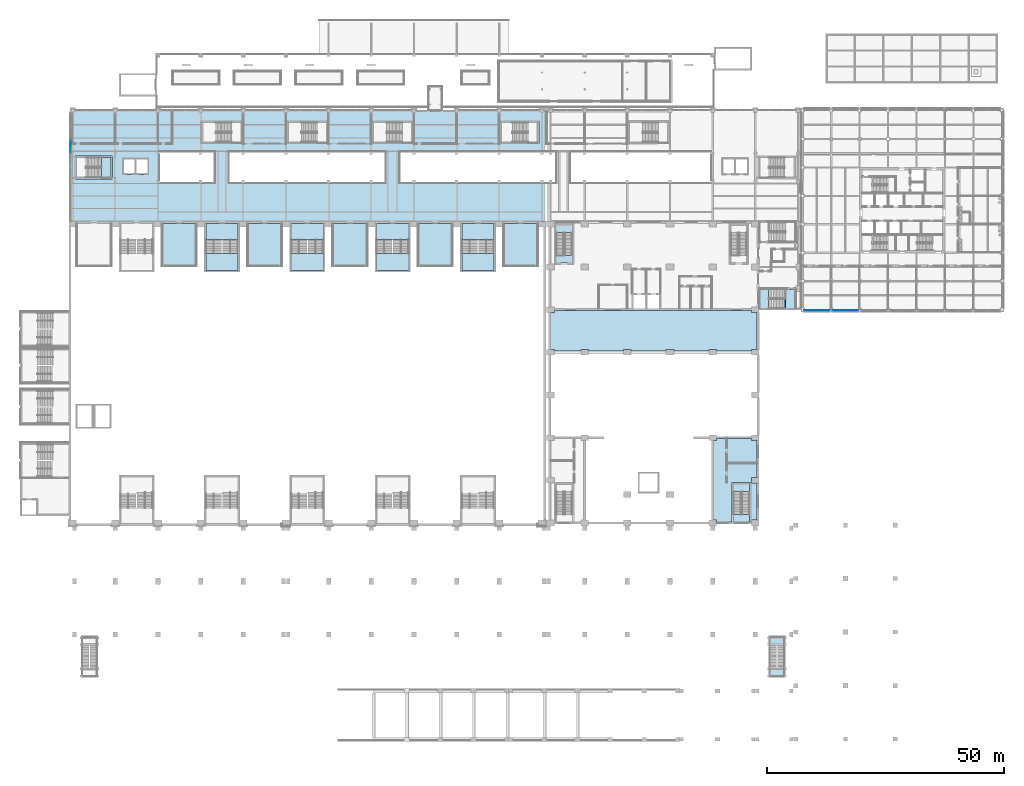
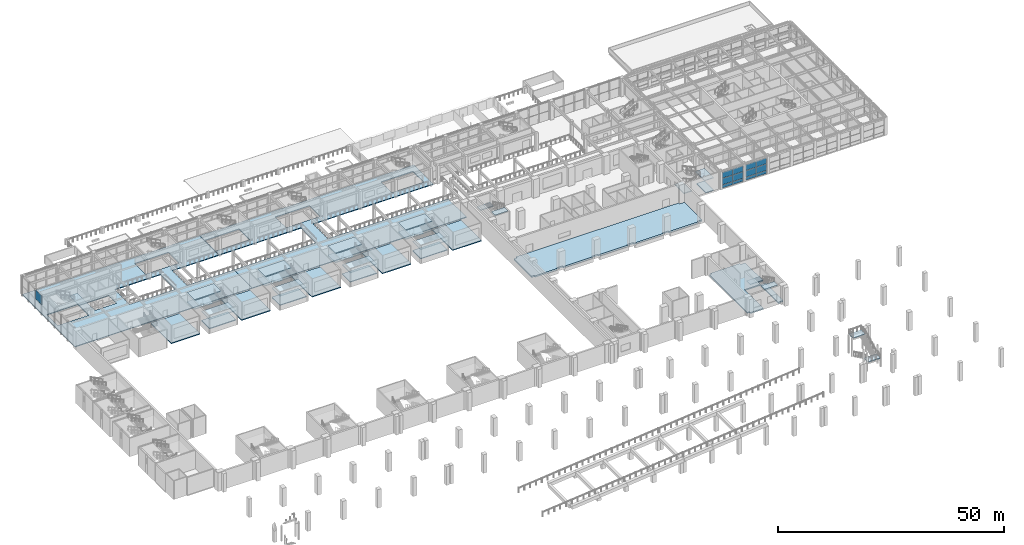
# One storey, part 28 of 67: 35 slabs, 13 plates, 16 elements without a shape of their own.
"""IFC4 building model written with IfcOpenShell, lengths in metres."""

from ifc_helpers import new_model, si_unit, direction, frame, origin, origin_2d, place, context, subcontext, project, spatial, polyline, rectangle, outline, extrude, material, layer, layer_set, type_object, element, aggregate, save


model = new_model("IFC4")

# Units and contexts
model_context = context("Model", 3, precision=1e-05, world=origin(), true_north=direction((0.0, 1.0)))
body_context = subcontext(model_context, "Body", "Model", "MODEL_VIEW")
ifc_project = project(units=[si_unit("LENGTHUNIT", "METRE"), si_unit("AREAUNIT", "SQUARE_METRE"), si_unit("VOLUMEUNIT", "CUBIC_METRE"), si_unit("PLANEANGLEUNIT", "RADIAN"), si_unit("MASSUNIT", "GRAM", prefix="KILO")], contexts=[model_context])

# Site, building, storey
site_placement = place(None, origin())
site = spatial("IfcSite", under=ifc_project, at=site_placement, CompositionType="ELEMENT")
building_placement = place(site_placement, origin())
building = spatial("IfcBuilding", under=site, at=building_placement, Name="Aravalli Gate Trade Fair Centre", CompositionType="ELEMENT")
storey_placement = place(building_placement, frame((0.0, 0.0, 5.0)))
storey = spatial("IfcBuildingStorey", under=building, at=storey_placement, Name="L01", CompositionType="ELEMENT", Elevation=5.0)

# Slabs
ifc_material_1 = material(Name="Concrete M40", Category="concrete")
ifc_layer_1 = layer(ifc_material_1, 0.199951171875)
ifc_layer_set_1 = layer_set([ifc_layer_1], Name="Concrete M40")
slab_type_1 = type_object("IfcSlabType", Name="Concourse gallery slab 200", PredefinedType="FLOOR", material=ifc_layer_set_1)
slab_1_placement = place(storey_placement, frame((0.0, 0.0, -0.199951171875)))
element("IfcSlab", 1, at=slab_1_placement, inside=storey, type_object=slab_type_1, Name="Concourse gallery slab L01 1", PredefinedType="FLOOR", context=body_context, shape_type="SweptSolid", body=[
    extrude(outline(polyline([(50.97998046875, 132.919921875), (5.699951171875, 132.919921875), (5.699951171875, 109.60009765625), (50.97998046875, 109.60009765625), (50.97998046875, 117.699951171875), (39.0, 117.699951171875), (39.0, 124.300048828125), (50.97998046875, 124.300048828125), (50.97998046875, 132.919921875)]), holes=[polyline([(24.300048828125, 124.300048828125), (36.0, 124.300048828125), (36.0, 117.699951171875), (24.300048828125, 117.699951171875), (24.300048828125, 124.300048828125)]), polyline([(6.5, 118.60009765625), (6.5, 123.39990234375), (14.39990234375, 123.39990234375), (14.39990234375, 118.60009765625), (6.5, 118.60009765625)]), polyline([(16.5, 119.5), (16.5, 123.0), (22.050048828125, 123.0), (22.050048828125, 119.5), (16.5, 119.5)]), polyline([(33.14990234375, 126.0), (33.14990234375, 130.800048828125), (41.85009765625, 130.800048828125), (41.85009765625, 126.0), (33.14990234375, 126.0)])]), origin(), (0.0, 0.0, 1.0), 0.199951171875),
])
slab_2_placement = place(storey_placement, frame((0.0, 0.0, -0.199951171875)))
element("IfcSlab", 2, at=slab_2_placement, inside=storey, type_object=slab_type_1, Name="Concourse gallery slab L01 2", PredefinedType="FLOOR", context=body_context, shape_type="SweptSolid", body=[
    extrude(outline(polyline([(105.800048828125, 132.919921875), (51.02001953125, 132.919921875), (51.02001953125, 124.300048828125), (72.0, 124.300048828125), (72.0, 117.699951171875), (51.02001953125, 117.699951171875), (51.02001953125, 109.60009765625), (105.800048828125, 109.60009765625), (105.800048828125, 117.699951171875), (75.0, 117.699951171875), (75.0, 124.300048828125), (105.800048828125, 124.300048828125), (105.800048828125, 132.919921875)]), holes=[polyline([(51.14990234375, 126.0), (51.14990234375, 130.800048828125), (59.85009765625, 130.800048828125), (59.85009765625, 126.0), (51.14990234375, 126.0)]), polyline([(69.14990234375, 126.0), (69.14990234375, 130.800048828125), (77.85009765625, 130.800048828125), (77.85009765625, 126.0), (69.14990234375, 126.0)]), polyline([(96.14990234375, 130.800048828125), (104.35009765625, 130.800048828125), (104.35009765625, 126.0), (96.14990234375, 126.0), (96.14990234375, 130.800048828125)])]), origin(), (0.0, 0.0, 1.0), 0.199951171875),
])

# Stair, slab
ifc_material_2 = material(Name="Concrete M30", Category="concrete")
stair_type_1 = type_object("IfcStairType", Name="Concourse stair, 2000 wide", PredefinedType="HALF_TURN_STAIR", material=ifc_material_2)
stair_1_placement = place(storey_placement, origin())
stair_1 = element("IfcStair", 3, at=stair_1_placement, inside=storey, type_object=stair_type_1, Name="Stair WS L01", PredefinedType="HALF_TURN_STAIR")
ifc_layer_2 = layer(ifc_material_2, 0.199951171875)
ifc_layer_set_2 = layer_set([ifc_layer_2], Name="Concrete M30")
slab_type_2 = type_object("IfcSlabType", Name="Concourse stair landing 200", PredefinedType="LANDING", material=ifc_layer_set_2)
slab_3_placement = place(storey_placement, frame((0.0, 0.0, 3.13330078125)))
slab_3 = element("IfcSlab", 4, at=slab_3_placement, type_object=slab_type_2, Name="STWS-L01 landing 2", PredefinedType="LANDING", context=body_context, shape_type="SweptSolid", body=[
    extrude(outline(polyline([(12.10009765625, 118.89990234375), (14.10009765625, 118.89990234375), (14.10009765625, 123.10009765625), (12.10009765625, 123.10009765625), (12.10009765625, 118.89990234375)])), origin(), (0.0, 0.0, 1.0), 0.199951171875),
])
aggregate(stair_1, [slab_3])

# Slab
ifc_layer_3 = layer(ifc_material_1, 0.39990234375)
ifc_layer_set_3 = layer_set([ifc_layer_3], Name="Concrete M40")
slab_type_3 = type_object("IfcSlabType", Name="Congress balcony slab RC 400", PredefinedType="FLOOR", material=ifc_layer_set_3)
slab_4_placement = place(storey_placement, frame((0.0, 0.0, -0.39990234375)))
element("IfcSlab", 5, at=slab_4_placement, inside=storey, type_object=slab_type_3, Name="Balcony slab L01", PredefinedType="FLOOR", context=body_context, shape_type="SweptSolid", body=[
    extrude(outline(polyline([(150.39990234375, 82.60009765625), (149.199951171875, 82.60009765625), (149.199951171875, 82.300048828125), (141.800048828125, 82.300048828125), (141.800048828125, 82.60009765625), (140.199951171875, 82.60009765625), (140.199951171875, 82.300048828125), (132.800048828125, 82.300048828125), (132.800048828125, 82.60009765625), (131.199951171875, 82.60009765625), (131.199951171875, 82.300048828125), (123.800048828125, 82.300048828125), (123.800048828125, 82.60009765625), (122.199951171875, 82.60009765625), (122.199951171875, 82.300048828125), (114.800048828125, 82.300048828125), (114.800048828125, 82.60009765625), (113.199951171875, 82.60009765625), (113.199951171875, 82.300048828125), (107.60009765625, 82.300048828125), (107.60009765625, 82.60009765625), (106.800048828125, 82.60009765625), (106.800048828125, 90.39990234375), (107.60009765625, 90.39990234375), (107.60009765625, 90.800048828125), (149.199951171875, 90.800048828125), (149.199951171875, 90.39990234375), (150.39990234375, 90.39990234375), (150.39990234375, 82.60009765625)])), origin(), (0.0, 0.0, 1.0), 0.39990234375),
])

# Stair, slabs
ifc_material_3 = material(Name="Concrete M45", Category="concrete")
stair_type_2 = type_object("IfcStairType", Name="Congress exit stair", PredefinedType="HALF_TURN_STAIR", material=ifc_material_3)
stair_2_placement = place(storey_placement, origin())
stair_2 = element("IfcStair", 6, at=stair_2_placement, inside=storey, type_object=stair_type_2, Name="Stage Stair East L01", PredefinedType="HALF_TURN_STAIR")
ifc_layer_4 = layer(ifc_material_3, 0.199951171875)
ifc_layer_set_4 = layer_set([ifc_layer_4], Name="Concrete M45")
slab_type_4 = type_object("IfcSlabType", Name="Congress exit stair landing RC 200", PredefinedType="LANDING", material=ifc_layer_set_4)
slab_5_placement = place(storey_placement, frame((0.0, 0.0, 2.300048828125)))
slab_5 = element("IfcSlab", 7, at=slab_5_placement, type_object=slab_type_4, Name="GX2 landing 1", PredefinedType="LANDING", context=body_context, shape_type="SweptSolid", body=[
    extrude(outline(polyline([(145.39990234375, 52.60009765625), (148.800048828125, 52.60009765625), (148.800048828125, 54.199951171875), (145.39990234375, 54.199951171875), (145.39990234375, 52.60009765625)])), origin(), (0.0, 0.0, 1.0), 0.199951171875),
])
slab_6_placement = place(storey_placement, frame((0.0, 0.0, 4.800048828125)))
slab_6 = element("IfcSlab", 8, at=slab_6_placement, type_object=slab_type_4, Name="GX2 landing 2", PredefinedType="LANDING", context=body_context, shape_type="SweptSolid", body=[
    extrude(outline(polyline([(145.39990234375, 46.199951171875), (148.800048828125, 46.199951171875), (148.800048828125, 47.800048828125), (145.39990234375, 47.800048828125), (145.39990234375, 46.199951171875)])), origin(), (0.0, 0.0, 1.0), 0.199951171875),
])
aggregate(stair_2, [slab_5, slab_6])

stair_3_placement = place(storey_placement, origin())
stair_3 = element("IfcStair", 9, at=stair_3_placement, inside=storey, type_object=stair_type_2, Name="Foyer Stair West L01", PredefinedType="HALF_TURN_STAIR")
slab_7_placement = place(storey_placement, frame((0.0, 0.0, 2.300048828125)))
slab_7 = element("IfcSlab", 10, at=slab_7_placement, type_object=slab_type_4, Name="GX3 landing 1", PredefinedType="LANDING", context=body_context, shape_type="SweptSolid", body=[
    extrude(outline(polyline([(108.0, 107.25), (111.39990234375, 107.25), (111.39990234375, 108.85009765625), (108.0, 108.85009765625), (108.0, 107.25)])), origin(), (0.0, 0.0, 1.0), 0.199951171875),
])
slab_8_placement = place(storey_placement, frame((0.0, 0.0, 4.800048828125)))
slab_8 = element("IfcSlab", 11, at=slab_8_placement, type_object=slab_type_4, Name="GX3 landing 2", PredefinedType="LANDING", context=body_context, shape_type="SweptSolid", body=[
    extrude(outline(polyline([(108.0, 100.85009765625), (111.39990234375, 100.85009765625), (111.39990234375, 102.449951171875), (108.0, 102.449951171875), (108.0, 100.85009765625)])), origin(), (0.0, 0.0, 1.0), 0.199951171875),
])
aggregate(stair_3, [slab_7, slab_8])

# Slab
ifc_layer_5 = layer(ifc_material_1, 0.300048828125)
ifc_layer_set_5 = layer_set([ifc_layer_5], Name="Concrete M40")
slab_type_5 = type_object("IfcSlabType", Name="Congress floor slab RC 300", PredefinedType="FLOOR", material=ifc_layer_set_5)
slab_9_placement = place(storey_placement, frame((0.0, 0.0, -0.300048828125)))
element("IfcSlab", 12, at=slab_9_placement, inside=storey, type_object=slab_type_5, Name="Stage wing floor L01 E", PredefinedType="FLOOR", context=body_context, shape_type="SweptSolid", body=[
    extrude(outline(polyline([(149.199951171875, 46.60009765625), (149.199951171875, 46.199951171875), (149.10009765625, 46.199951171875), (149.10009765625, 54.5), (145.10009765625, 54.5), (145.10009765625, 46.199951171875), (141.800048828125, 46.199951171875), (141.800048828125, 46.60009765625), (141.199951171875, 46.60009765625), (141.199951171875, 63.39990234375), (141.800048828125, 63.39990234375), (141.800048828125, 63.800048828125), (149.199951171875, 63.800048828125), (149.199951171875, 63.39990234375), (150.39990234375, 63.39990234375), (150.39990234375, 55.60009765625), (149.199951171875, 55.60009765625), (149.199951171875, 54.39990234375), (150.39990234375, 54.39990234375), (150.39990234375, 46.60009765625), (149.199951171875, 46.60009765625)])), origin(), (0.0, 0.0, 1.0), 0.300048828125),
])

# Curtain wall, plate
ifc_material_4 = material(Name="Aluminium and glass", Category="aluminium")
curtain_wall_type_1 = type_object("IfcCurtainWallType", Name="Curtain wall 3000 module, tall", PredefinedType="NOTDEFINED", material=ifc_material_4)
curtain_wall_1_placement = place(storey_placement, origin())
curtain_wall_1 = element("IfcCurtainWall", 13, at=curtain_wall_1_placement, inside=storey, type_object=curtain_wall_type_1, Name="Curtain wall west end L01", PredefinedType="NOTDEFINED")
ifc_material_5 = material(Name="Glass, double glazed", Category="glass")
ifc_layer_6 = layer(ifc_material_5, 0.028076171875)
ifc_layer_set_6 = layer_set([ifc_layer_6], Name="Glass, double glazed")
plate_type_1 = type_object("IfcPlateType", Name="Curtain wall panel, double glazed 28", PredefinedType="CURTAIN_PANEL", material=ifc_layer_set_6)
plate_1_placement = place(storey_placement, frame((5.574951171875, 125.41259765625, 2.5302734375), z_axis=(0.0, 0.0, 1.0), x_axis=(0.0, 1.0, 0.0)))
plate_1 = element("IfcPlate", 14, at=plate_1_placement, type_object=plate_type_1, Name="CW3 panel 6.2", PredefinedType="CURTAIN_PANEL", context=body_context, shape_type="SweptSolid", body=[
    extrude(rectangle(XDim=2.81494140625, YDim=0.028076171875, at=origin_2d()), origin(), (0.0, 0.0, 1.0), 2.409912109375),
])
aggregate(curtain_wall_1, [plate_1])

# Stair, slabs
stair_type_3 = type_object("IfcStairType", Name="Hall exit stair, four flights", PredefinedType="HALF_TURN_STAIR", material=ifc_material_1)
stair_4_placement = place(storey_placement, origin())
stair_4 = element("IfcStair", 15, at=stair_4_placement, inside=storey, type_object=stair_type_3, Name="Exit stair ST-N04 lane A L01", PredefinedType="HALF_TURN_STAIR")
ifc_layer_7 = layer(ifc_material_1, 0.199951171875)
ifc_layer_set_7 = layer_set([ifc_layer_7], Name="Concrete M40")
slab_type_6 = type_object("IfcSlabType", Name="Hall exit stair landing RC 200", PredefinedType="LANDING", material=ifc_layer_set_7)
slab_10_placement = place(storey_placement, frame((0.0, 0.0, 1.050048828125)))
slab_10 = element("IfcSlab", 16, at=slab_10_placement, type_object=slab_type_6, Name="ST-N04A landing 1", PredefinedType="LANDING", context=body_context, shape_type="SweptSolid", body=[
    extrude(outline(polyline([(34.10009765625, 102.85009765625), (40.89990234375, 102.85009765625), (40.89990234375, 99.25), (34.10009765625, 99.25), (34.10009765625, 102.85009765625)])), origin(), (0.0, 0.0, 1.0), 0.199951171875),
])
slab_11_placement = place(storey_placement, frame((0.0, 0.0, 3.550048828125)))
slab_11 = element("IfcSlab", 17, at=slab_11_placement, type_object=slab_type_6, Name="ST-N04A landing 2", PredefinedType="LANDING", context=body_context, shape_type="SweptSolid", body=[
    extrude(outline(polyline([(34.10009765625, 102.85009765625), (40.89990234375, 102.85009765625), (40.89990234375, 99.25), (34.10009765625, 99.25), (34.10009765625, 102.85009765625)])), origin(), (0.0, 0.0, 1.0), 0.199951171875),
])
aggregate(stair_4, [slab_10, slab_11])

stair_5_placement = place(storey_placement, origin())
stair_5 = element("IfcStair", 18, at=stair_5_placement, inside=storey, type_object=stair_type_3, Name="Exit stair ST-N04 lane B L01", PredefinedType="HALF_TURN_STAIR")
slab_12_placement = place(storey_placement, frame((0.0, 0.0, 2.300048828125)))
slab_12 = element("IfcSlab", 19, at=slab_12_placement, type_object=slab_type_6, Name="ST-N04B landing 1", PredefinedType="LANDING", context=body_context, shape_type="SweptSolid", body=[
    extrude(outline(polyline([(34.10009765625, 109.14990234375), (40.89990234375, 109.14990234375), (40.89990234375, 105.85009765625), (34.10009765625, 105.85009765625), (34.10009765625, 109.14990234375)])), origin(), (0.0, 0.0, 1.0), 0.199951171875),
])
slab_13_placement = place(storey_placement, frame((0.0, 0.0, 4.800048828125)))
slab_13 = element("IfcSlab", 20, at=slab_13_placement, type_object=slab_type_6, Name="ST-N04B landing 2", PredefinedType="LANDING", context=body_context, shape_type="SweptSolid", body=[
    extrude(outline(polyline([(34.10009765625, 109.14990234375), (40.89990234375, 109.14990234375), (40.89990234375, 105.85009765625), (34.10009765625, 105.85009765625), (34.10009765625, 109.14990234375)])), origin(), (0.0, 0.0, 1.0), 0.199951171875),
])
aggregate(stair_5, [slab_12, slab_13])

stair_6_placement = place(storey_placement, origin())
stair_6 = element("IfcStair", 21, at=stair_6_placement, inside=storey, type_object=stair_type_3, Name="Exit stair ST-N06 lane A L01", PredefinedType="HALF_TURN_STAIR")
slab_14_placement = place(storey_placement, frame((0.0, 0.0, 1.050048828125)))
slab_14 = element("IfcSlab", 22, at=slab_14_placement, type_object=slab_type_6, Name="ST-N06A landing 1", PredefinedType="LANDING", context=body_context, shape_type="SweptSolid", body=[
    extrude(outline(polyline([(52.10009765625, 102.85009765625), (58.89990234375, 102.85009765625), (58.89990234375, 99.25), (52.10009765625, 99.25), (52.10009765625, 102.85009765625)])), origin(), (0.0, 0.0, 1.0), 0.199951171875),
])
slab_15_placement = place(storey_placement, frame((0.0, 0.0, 3.550048828125)))
slab_15 = element("IfcSlab", 23, at=slab_15_placement, type_object=slab_type_6, Name="ST-N06A landing 2", PredefinedType="LANDING", context=body_context, shape_type="SweptSolid", body=[
    extrude(outline(polyline([(52.10009765625, 102.85009765625), (58.89990234375, 102.85009765625), (58.89990234375, 99.25), (52.10009765625, 99.25), (52.10009765625, 102.85009765625)])), origin(), (0.0, 0.0, 1.0), 0.199951171875),
])
aggregate(stair_6, [slab_14, slab_15])

stair_7_placement = place(storey_placement, origin())
stair_7 = element("IfcStair", 24, at=stair_7_placement, inside=storey, type_object=stair_type_3, Name="Exit stair ST-N06 lane B L01", PredefinedType="HALF_TURN_STAIR")
slab_16_placement = place(storey_placement, frame((0.0, 0.0, 2.300048828125)))
slab_16 = element("IfcSlab", 25, at=slab_16_placement, type_object=slab_type_6, Name="ST-N06B landing 1", PredefinedType="LANDING", context=body_context, shape_type="SweptSolid", body=[
    extrude(outline(polyline([(52.10009765625, 109.14990234375), (58.89990234375, 109.14990234375), (58.89990234375, 105.85009765625), (52.10009765625, 105.85009765625), (52.10009765625, 109.14990234375)])), origin(), (0.0, 0.0, 1.0), 0.199951171875),
])
slab_17_placement = place(storey_placement, frame((0.0, 0.0, 4.800048828125)))
slab_17 = element("IfcSlab", 26, at=slab_17_placement, type_object=slab_type_6, Name="ST-N06B landing 2", PredefinedType="LANDING", context=body_context, shape_type="SweptSolid", body=[
    extrude(outline(polyline([(52.10009765625, 109.14990234375), (58.89990234375, 109.14990234375), (58.89990234375, 105.85009765625), (52.10009765625, 105.85009765625), (52.10009765625, 109.14990234375)])), origin(), (0.0, 0.0, 1.0), 0.199951171875),
])
aggregate(stair_7, [slab_16, slab_17])

stair_8_placement = place(storey_placement, origin())
stair_8 = element("IfcStair", 27, at=stair_8_placement, inside=storey, type_object=stair_type_3, Name="Exit stair ST-N08 lane A L01", PredefinedType="HALF_TURN_STAIR")
slab_18_placement = place(storey_placement, frame((0.0, 0.0, 1.050048828125)))
slab_18 = element("IfcSlab", 28, at=slab_18_placement, type_object=slab_type_6, Name="ST-N08A landing 1", PredefinedType="LANDING", context=body_context, shape_type="SweptSolid", body=[
    extrude(outline(polyline([(70.10009765625, 102.85009765625), (76.89990234375, 102.85009765625), (76.89990234375, 99.25), (70.10009765625, 99.25), (70.10009765625, 102.85009765625)])), origin(), (0.0, 0.0, 1.0), 0.199951171875),
])
slab_19_placement = place(storey_placement, frame((0.0, 0.0, 3.550048828125)))
slab_19 = element("IfcSlab", 29, at=slab_19_placement, type_object=slab_type_6, Name="ST-N08A landing 2", PredefinedType="LANDING", context=body_context, shape_type="SweptSolid", body=[
    extrude(outline(polyline([(70.10009765625, 102.85009765625), (76.89990234375, 102.85009765625), (76.89990234375, 99.25), (70.10009765625, 99.25), (70.10009765625, 102.85009765625)])), origin(), (0.0, 0.0, 1.0), 0.199951171875),
])
aggregate(stair_8, [slab_18, slab_19])

stair_9_placement = place(storey_placement, origin())
stair_9 = element("IfcStair", 30, at=stair_9_placement, inside=storey, type_object=stair_type_3, Name="Exit stair ST-N08 lane B L01", PredefinedType="HALF_TURN_STAIR")
slab_20_placement = place(storey_placement, frame((0.0, 0.0, 2.300048828125)))
slab_20 = element("IfcSlab", 31, at=slab_20_placement, type_object=slab_type_6, Name="ST-N08B landing 1", PredefinedType="LANDING", context=body_context, shape_type="SweptSolid", body=[
    extrude(outline(polyline([(70.10009765625, 109.14990234375), (76.89990234375, 109.14990234375), (76.89990234375, 105.85009765625), (70.10009765625, 105.85009765625), (70.10009765625, 109.14990234375)])), origin(), (0.0, 0.0, 1.0), 0.199951171875),
])
slab_21_placement = place(storey_placement, frame((0.0, 0.0, 4.800048828125)))
slab_21 = element("IfcSlab", 32, at=slab_21_placement, type_object=slab_type_6, Name="ST-N08B landing 2", PredefinedType="LANDING", context=body_context, shape_type="SweptSolid", body=[
    extrude(outline(polyline([(70.10009765625, 109.14990234375), (76.89990234375, 109.14990234375), (76.89990234375, 105.85009765625), (70.10009765625, 105.85009765625), (70.10009765625, 109.14990234375)])), origin(), (0.0, 0.0, 1.0), 0.199951171875),
])
aggregate(stair_9, [slab_20, slab_21])

stair_10_placement = place(storey_placement, origin())
stair_10 = element("IfcStair", 33, at=stair_10_placement, inside=storey, type_object=stair_type_3, Name="Exit stair ST-N10 lane A L01", PredefinedType="HALF_TURN_STAIR")
slab_22_placement = place(storey_placement, frame((0.0, 0.0, 1.050048828125)))
slab_22 = element("IfcSlab", 34, at=slab_22_placement, type_object=slab_type_6, Name="ST-N10A landing 1", PredefinedType="LANDING", context=body_context, shape_type="SweptSolid", body=[
    extrude(outline(polyline([(88.10009765625, 102.85009765625), (94.89990234375, 102.85009765625), (94.89990234375, 99.25), (88.10009765625, 99.25), (88.10009765625, 102.85009765625)])), origin(), (0.0, 0.0, 1.0), 0.199951171875),
])
slab_23_placement = place(storey_placement, frame((0.0, 0.0, 3.550048828125)))
slab_23 = element("IfcSlab", 35, at=slab_23_placement, type_object=slab_type_6, Name="ST-N10A landing 2", PredefinedType="LANDING", context=body_context, shape_type="SweptSolid", body=[
    extrude(outline(polyline([(88.10009765625, 102.85009765625), (94.89990234375, 102.85009765625), (94.89990234375, 99.25), (88.10009765625, 99.25), (88.10009765625, 102.85009765625)])), origin(), (0.0, 0.0, 1.0), 0.199951171875),
])
aggregate(stair_10, [slab_22, slab_23])

stair_11_placement = place(storey_placement, origin())
stair_11 = element("IfcStair", 36, at=stair_11_placement, inside=storey, type_object=stair_type_3, Name="Exit stair ST-N10 lane B L01", PredefinedType="HALF_TURN_STAIR")
slab_24_placement = place(storey_placement, frame((0.0, 0.0, 2.300048828125)))
slab_24 = element("IfcSlab", 37, at=slab_24_placement, type_object=slab_type_6, Name="ST-N10B landing 1", PredefinedType="LANDING", context=body_context, shape_type="SweptSolid", body=[
    extrude(outline(polyline([(88.10009765625, 109.14990234375), (94.89990234375, 109.14990234375), (94.89990234375, 105.85009765625), (88.10009765625, 105.85009765625), (88.10009765625, 109.14990234375)])), origin(), (0.0, 0.0, 1.0), 0.199951171875),
])
slab_25_placement = place(storey_placement, frame((0.0, 0.0, 4.800048828125)))
slab_25 = element("IfcSlab", 38, at=slab_25_placement, type_object=slab_type_6, Name="ST-N10B landing 2", PredefinedType="LANDING", context=body_context, shape_type="SweptSolid", body=[
    extrude(outline(polyline([(88.10009765625, 109.14990234375), (94.89990234375, 109.14990234375), (94.89990234375, 105.85009765625), (88.10009765625, 105.85009765625), (88.10009765625, 109.14990234375)])), origin(), (0.0, 0.0, 1.0), 0.199951171875),
])
aggregate(stair_11, [slab_24, slab_25])

# Slabs
ifc_layer_8 = layer(ifc_material_1, 0.25)
ifc_layer_set_8 = layer_set([ifc_layer_8], Name="Concrete M40")
slab_type_7 = type_object("IfcSlabType", Name="Meeting room floor slab RC 250", PredefinedType="FLOOR", material=ifc_layer_set_8)
slab_26_placement = place(storey_placement, frame((0.0, 0.0, -0.25)))
element("IfcSlab", 39, at=slab_26_placement, inside=storey, type_object=slab_type_7, Name="Meeting room 2 floor", PredefinedType="FLOOR", context=body_context, shape_type="SweptSolid", body=[
    extrude(outline(polyline([(24.800048828125, 100.14990234375), (32.199951171875, 100.14990234375), (32.199951171875, 109.14990234375), (24.800048828125, 109.14990234375), (24.800048828125, 100.14990234375)])), origin(), (0.0, 0.0, 1.0), 0.25),
])
slab_27_placement = place(storey_placement, frame((0.0, 0.0, -0.25)))
element("IfcSlab", 40, at=slab_27_placement, inside=storey, type_object=slab_type_7, Name="Meeting room 3 floor", PredefinedType="FLOOR", context=body_context, shape_type="SweptSolid", body=[
    extrude(outline(polyline([(42.800048828125, 100.14990234375), (50.199951171875, 100.14990234375), (50.199951171875, 109.14990234375), (42.800048828125, 109.14990234375), (42.800048828125, 100.14990234375)])), origin(), (0.0, 0.0, 1.0), 0.25),
])
slab_28_placement = place(storey_placement, frame((0.0, 0.0, -0.25)))
element("IfcSlab", 41, at=slab_28_placement, inside=storey, type_object=slab_type_7, Name="Meeting room 4 floor", PredefinedType="FLOOR", context=body_context, shape_type="SweptSolid", body=[
    extrude(outline(polyline([(60.800048828125, 100.14990234375), (68.199951171875, 100.14990234375), (68.199951171875, 109.14990234375), (60.800048828125, 109.14990234375), (60.800048828125, 100.14990234375)])), origin(), (0.0, 0.0, 1.0), 0.25),
])
slab_29_placement = place(storey_placement, frame((0.0, 0.0, -0.25)))
element("IfcSlab", 42, at=slab_29_placement, inside=storey, type_object=slab_type_7, Name="Meeting room 5 floor", PredefinedType="FLOOR", context=body_context, shape_type="SweptSolid", body=[
    extrude(outline(polyline([(78.800048828125, 100.14990234375), (86.199951171875, 100.14990234375), (86.199951171875, 109.14990234375), (78.800048828125, 109.14990234375), (78.800048828125, 100.14990234375)])), origin(), (0.0, 0.0, 1.0), 0.25),
])
slab_30_placement = place(storey_placement, frame((0.0, 0.0, -0.25)))
element("IfcSlab", 43, at=slab_30_placement, inside=storey, type_object=slab_type_7, Name="Meeting room 6 floor", PredefinedType="FLOOR", context=body_context, shape_type="SweptSolid", body=[
    extrude(outline(polyline([(96.800048828125, 100.14990234375), (104.199951171875, 100.14990234375), (104.199951171875, 109.14990234375), (96.800048828125, 109.14990234375), (96.800048828125, 100.14990234375)])), origin(), (0.0, 0.0, 1.0), 0.25),
])

# Stair, slabs
stair_type_4 = type_object("IfcStairType", Name="External stair 1500", PredefinedType="HALF_TURN_STAIR", material=ifc_material_3)
stair_12_placement = place(storey_placement, origin())
stair_12 = element("IfcStair", 44, at=stair_12_placement, inside=storey, type_object=stair_type_4, Name="External stair 2 L01", PredefinedType="HALF_TURN_STAIR")
ifc_layer_9 = layer(ifc_material_3, 0.25)
ifc_layer_set_9 = layer_set([ifc_layer_9], Name="Concrete M45")
slab_type_8 = type_object("IfcSlabType", Name="Stair landing slab RC 250", PredefinedType="LANDING", material=ifc_layer_set_9)
slab_31_placement = place(storey_placement, frame((0.0, 0.0, 2.300048828125)))
slab_31 = element("IfcSlab", 45, at=slab_31_placement, type_object=slab_type_8, Name="SST5 landing 1", PredefinedType="LANDING", context=body_context, shape_type="SweptSolid", body=[
    extrude(outline(polyline([(153.0, 13.60009765625), (156.199951171875, 13.60009765625), (156.199951171875, 15.39990234375), (153.0, 15.39990234375), (153.0, 13.60009765625)])), origin(), (0.0, 0.0, 1.0), 0.199951171875),
])
slab_32_placement = place(storey_placement, frame((0.0, 0.0, 4.800048828125)))
slab_32 = element("IfcSlab", 46, at=slab_32_placement, type_object=slab_type_8, Name="SST5 landing 2", PredefinedType="LANDING", context=body_context, shape_type="SweptSolid", body=[
    extrude(outline(polyline([(153.0, 20.199951171875), (156.199951171875, 20.199951171875), (156.199951171875, 22.0), (153.0, 22.0), (153.0, 20.199951171875)])), origin(), (0.0, 0.0, 1.0), 0.199951171875),
])
aggregate(stair_12, [slab_31, slab_32])

stair_type_5 = type_object("IfcStairType", Name="Wing core stair", PredefinedType="HALF_TURN_STAIR", material=ifc_material_2)
stair_13_placement = place(storey_placement, origin())
stair_13 = element("IfcStair", 47, at=stair_13_placement, inside=storey, type_object=stair_type_5, Name="Stair LA L01", PredefinedType="HALF_TURN_STAIR")
ifc_layer_10 = layer(ifc_material_2, 0.199951171875)
ifc_layer_set_10 = layer_set([ifc_layer_10], Name="Concrete M30")
slab_type_9 = type_object("IfcSlabType", Name="Wing core stair landing 200", PredefinedType="LANDING", material=ifc_layer_set_10)
slab_33_placement = place(storey_placement, frame((0.0, 0.0, -0.199951171875)))
slab_33 = element("IfcSlab", 48, at=slab_33_placement, type_object=slab_type_9, Name="TST1 landing 1", PredefinedType="LANDING", context=body_context, shape_type="SweptSolid", body=[
    extrude(outline(polyline([(156.39697265625, 91.25), (158.39990234375, 91.25), (158.39990234375, 95.35009765625), (156.39697265625, 95.35009765625), (156.39697265625, 91.25)])), origin(), (0.0, 0.0, 1.0), 0.199951171875),
])
slab_34_placement = place(storey_placement, frame((0.0, 0.0, 1.564697265625)))
slab_34 = element("IfcSlab", 49, at=slab_34_placement, type_object=slab_type_9, Name="TST1 landing 2", PredefinedType="LANDING", context=body_context, shape_type="SweptSolid", body=[
    extrude(outline(polyline([(150.800048828125, 91.25), (152.800048828125, 91.25), (152.800048828125, 95.35009765625), (150.800048828125, 95.35009765625), (150.800048828125, 91.25)])), origin(), (0.0, 0.0, 1.0), 0.199951171875),
])
slab_35_placement = place(storey_placement, frame((0.0, 0.0, 3.182373046875)))
slab_35 = element("IfcSlab", 50, at=slab_35_placement, type_object=slab_type_9, Name="TST1 landing 3", PredefinedType="LANDING", context=body_context, shape_type="SweptSolid", body=[
    extrude(outline(polyline([(156.070068359375, 91.25), (158.39990234375, 91.25), (158.39990234375, 95.35009765625), (156.070068359375, 95.35009765625), (156.070068359375, 91.25)])), origin(), (0.0, 0.0, 1.0), 0.199951171875),
])
aggregate(stair_13, [slab_33, slab_34, slab_35])

# Curtain wall, plates
curtain_wall_type_2 = type_object("IfcCurtainWallType", Name="Wing curtain wall", PredefinedType="NOTDEFINED", material=ifc_material_4)
curtain_wall_2_placement = place(storey_placement, origin())
curtain_wall_2 = element("IfcCurtainWall", 51, at=curtain_wall_2_placement, inside=storey, type_object=curtain_wall_type_2, Name="Curtain wall S0 L01", PredefinedType="NOTDEFINED")
ifc_material_6 = material(Name="Glass", Category="glass")
ifc_layer_11 = layer(ifc_material_6, 0.028076171875)
ifc_layer_set_11 = layer_set([ifc_layer_11], Name="Glass")
plate_type_2 = type_object("IfcPlateType", Name="Wing curtain wall glazing panel 28", PredefinedType="CURTAIN_PANEL", material=ifc_layer_set_11)
plate_2_placement = place(storey_placement, frame((161.6650390625, 90.875, 0.06005859375), z_axis=(0.0, 0.0, 1.0), x_axis=(1.0, 0.0, 0.0)))
plate_2 = element("IfcPlate", 52, at=plate_2_placement, type_object=plate_type_2, Name="TCW1 panel 1.1", PredefinedType="CURTAIN_PANEL", context=body_context, shape_type="SweptSolid", body=[
    extrude(rectangle(XDim=2.610107421875, YDim=0.028076171875, at=origin_2d()), origin(), (0.0, 0.0, 1.0), 0.81005859375),
])
plate_3_placement = place(storey_placement, frame((161.6650390625, 90.875, 0.93017578125), z_axis=(0.0, 0.0, 1.0), x_axis=(1.0, 0.0, 0.0)))
plate_3 = element("IfcPlate", 53, at=plate_3_placement, type_object=plate_type_2, Name="TCW1 panel 1.2", PredefinedType="CURTAIN_PANEL", context=body_context, shape_type="SweptSolid", body=[
    extrude(rectangle(XDim=2.610107421875, YDim=0.028076171875, at=origin_2d()), origin(), (0.0, 0.0, 1.0), 1.739990234375),
])
plate_4_placement = place(storey_placement, frame((161.6650390625, 90.875, 2.72998046875), z_axis=(0.0, 0.0, 1.0), x_axis=(1.0, 0.0, 0.0)))
plate_4 = element("IfcPlate", 54, at=plate_4_placement, type_object=plate_type_2, Name="TCW1 panel 1.3", PredefinedType="CURTAIN_PANEL", context=body_context, shape_type="SweptSolid", body=[
    extrude(rectangle(XDim=2.610107421875, YDim=0.028076171875, at=origin_2d()), origin(), (0.0, 0.0, 1.0), 1.56005859375),
])
plate_5_placement = place(storey_placement, frame((164.3349609375, 90.875, 0.06005859375), z_axis=(0.0, 0.0, 1.0), x_axis=(1.0, 0.0, 0.0)))
plate_5 = element("IfcPlate", 55, at=plate_5_placement, type_object=plate_type_2, Name="TCW1 panel 2.1", PredefinedType="CURTAIN_PANEL", context=body_context, shape_type="SweptSolid", body=[
    extrude(rectangle(XDim=2.610107421875, YDim=0.028076171875, at=origin_2d()), origin(), (0.0, 0.0, 1.0), 0.81005859375),
])
plate_6_placement = place(storey_placement, frame((164.3349609375, 90.875, 0.93017578125), z_axis=(0.0, 0.0, 1.0), x_axis=(1.0, 0.0, 0.0)))
plate_6 = element("IfcPlate", 56, at=plate_6_placement, type_object=plate_type_2, Name="TCW1 panel 2.2", PredefinedType="CURTAIN_PANEL", context=body_context, shape_type="SweptSolid", body=[
    extrude(rectangle(XDim=2.610107421875, YDim=0.028076171875, at=origin_2d()), origin(), (0.0, 0.0, 1.0), 1.739990234375),
])
plate_7_placement = place(storey_placement, frame((164.3349609375, 90.875, 2.72998046875), z_axis=(0.0, 0.0, 1.0), x_axis=(1.0, 0.0, 0.0)))
plate_7 = element("IfcPlate", 57, at=plate_7_placement, type_object=plate_type_2, Name="TCW1 panel 2.3", PredefinedType="CURTAIN_PANEL", context=body_context, shape_type="SweptSolid", body=[
    extrude(rectangle(XDim=2.610107421875, YDim=0.028076171875, at=origin_2d()), origin(), (0.0, 0.0, 1.0), 1.56005859375),
])
aggregate(curtain_wall_2, [plate_2, plate_3, plate_4, plate_5, plate_6, plate_7])

curtain_wall_3_placement = place(storey_placement, origin())
curtain_wall_3 = element("IfcCurtainWall", 58, at=curtain_wall_3_placement, inside=storey, type_object=curtain_wall_type_2, Name="Curtain wall S1 L01", PredefinedType="NOTDEFINED")
plate_8_placement = place(storey_placement, frame((167.6650390625, 90.875, 0.06005859375), z_axis=(0.0, 0.0, 1.0), x_axis=(1.0, 0.0, 0.0)))
plate_8 = element("IfcPlate", 59, at=plate_8_placement, type_object=plate_type_2, Name="TCW1 panel 1.1", PredefinedType="CURTAIN_PANEL", context=body_context, shape_type="SweptSolid", body=[
    extrude(rectangle(XDim=2.610107421875, YDim=0.028076171875, at=origin_2d()), origin(), (0.0, 0.0, 1.0), 0.81005859375),
])
plate_9_placement = place(storey_placement, frame((167.6650390625, 90.875, 0.93017578125), z_axis=(0.0, 0.0, 1.0), x_axis=(1.0, 0.0, 0.0)))
plate_9 = element("IfcPlate", 60, at=plate_9_placement, type_object=plate_type_2, Name="TCW1 panel 1.2", PredefinedType="CURTAIN_PANEL", context=body_context, shape_type="SweptSolid", body=[
    extrude(rectangle(XDim=2.610107421875, YDim=0.028076171875, at=origin_2d()), origin(), (0.0, 0.0, 1.0), 1.739990234375),
])
plate_10_placement = place(storey_placement, frame((167.6650390625, 90.875, 2.72998046875), z_axis=(0.0, 0.0, 1.0), x_axis=(1.0, 0.0, 0.0)))
plate_10 = element("IfcPlate", 61, at=plate_10_placement, type_object=plate_type_2, Name="TCW1 panel 1.3", PredefinedType="CURTAIN_PANEL", context=body_context, shape_type="SweptSolid", body=[
    extrude(rectangle(XDim=2.610107421875, YDim=0.028076171875, at=origin_2d()), origin(), (0.0, 0.0, 1.0), 1.56005859375),
])
plate_11_placement = place(storey_placement, frame((170.3349609375, 90.875, 0.06005859375), z_axis=(0.0, 0.0, 1.0), x_axis=(1.0, 0.0, 0.0)))
plate_11 = element("IfcPlate", 62, at=plate_11_placement, type_object=plate_type_2, Name="TCW1 panel 2.1", PredefinedType="CURTAIN_PANEL", context=body_context, shape_type="SweptSolid", body=[
    extrude(rectangle(XDim=2.610107421875, YDim=0.028076171875, at=origin_2d()), origin(), (0.0, 0.0, 1.0), 0.81005859375),
])
plate_12_placement = place(storey_placement, frame((170.3349609375, 90.875, 0.93017578125), z_axis=(0.0, 0.0, 1.0), x_axis=(1.0, 0.0, 0.0)))
plate_12 = element("IfcPlate", 63, at=plate_12_placement, type_object=plate_type_2, Name="TCW1 panel 2.2", PredefinedType="CURTAIN_PANEL", context=body_context, shape_type="SweptSolid", body=[
    extrude(rectangle(XDim=2.610107421875, YDim=0.028076171875, at=origin_2d()), origin(), (0.0, 0.0, 1.0), 1.739990234375),
])
plate_13_placement = place(storey_placement, frame((170.3349609375, 90.875, 2.72998046875), z_axis=(0.0, 0.0, 1.0), x_axis=(1.0, 0.0, 0.0)))
plate_13 = element("IfcPlate", 64, at=plate_13_placement, type_object=plate_type_2, Name="TCW1 panel 2.3", PredefinedType="CURTAIN_PANEL", context=body_context, shape_type="SweptSolid", body=[
    extrude(rectangle(XDim=2.610107421875, YDim=0.028076171875, at=origin_2d()), origin(), (0.0, 0.0, 1.0), 1.56005859375),
])
aggregate(curtain_wall_3, [plate_8, plate_9, plate_10, plate_11, plate_12, plate_13])

save(model, "model.ifc")
